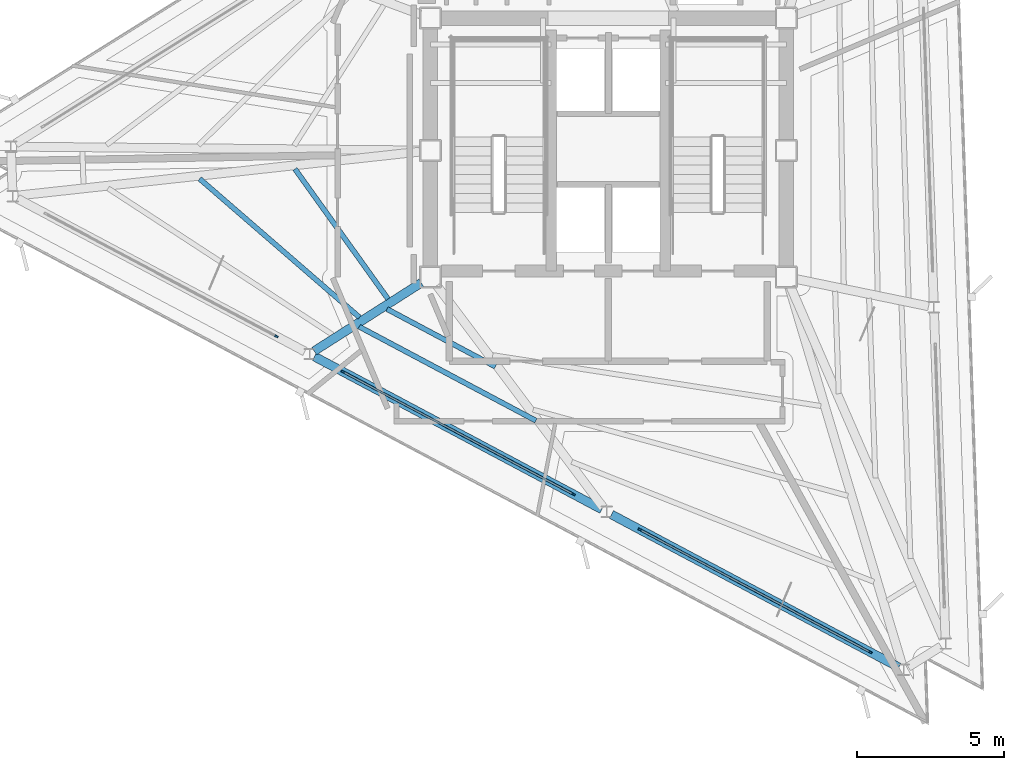
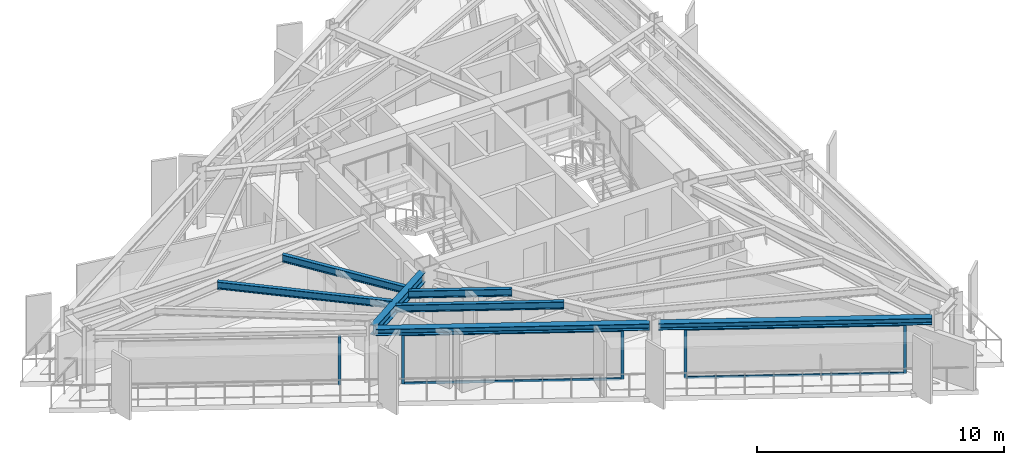
# One storey, part 2 of 13: 9 members, 7 beams, 3 elements without a shape of their own.
"""IFC4 building model written with IfcOpenShell, lengths in metres."""

from ifc_helpers import new_model, si_unit, direction, frame, origin, origin_2d, place, context, subcontext, project, spatial, rectangle, i_section, extrude, material, layer, layer_set, material_profile, profile_set, type_object, element, aggregate, save


model = new_model("IFC4")

# Units and contexts
model_context = context("Model", 3, precision=1e-05, world=origin(), true_north=direction((0.0, 1.0)))
body_context = subcontext(model_context, "Body", "Model", "MODEL_VIEW")
ifc_project = project(units=[si_unit("LENGTHUNIT", "METRE"), si_unit("AREAUNIT", "SQUARE_METRE"), si_unit("VOLUMEUNIT", "CUBIC_METRE"), si_unit("PLANEANGLEUNIT", "RADIAN"), si_unit("MASSUNIT", "GRAM", prefix="KILO")], contexts=[model_context])

# Site, building, storey
site_placement = place(None, origin())
site = spatial("IfcSite", under=ifc_project, at=site_placement, CompositionType="ELEMENT")
building_placement = place(site_placement, origin())
building = spatial("IfcBuilding", under=site, at=building_placement, Name="Rocaltana Carrier Exchange", CompositionType="ELEMENT")
storey_placement = place(building_placement, frame((0.0, 0.0, 199.679931640625)))
storey = spatial("IfcBuildingStorey", under=building, at=storey_placement, Name="L63", CompositionType="ELEMENT", Elevation=199.679931640625)

# Curtain wall, member
ifc_material_1 = material(Name="Aluminium 6063-T6", Category="aluminium")
ifc_layer = layer(ifc_material_1, 0.1201171875)
ifc_layer_set = layer_set([ifc_layer], Name="Aluminium 6063-T6")
curtain_wall_type = type_object("IfcCurtainWallType", Name="High-Altitude Thermal Curtain Wall CW-05", PredefinedType="NOTDEFINED", material=ifc_layer_set)
curtain_wall_1_placement = place(storey_placement, origin())
curtain_wall_1 = element("IfcCurtainWall", 1, at=curtain_wall_1_placement, inside=storey, type_object=curtain_wall_type, Name="L63 CW-05 Run CW-L63-F3S1", PredefinedType="NOTDEFINED")
ifc_material_2 = material(Name="Aluminium 6063-T6", Category="aluminium")
ifc_material_profile_1 = material_profile(ifc_material_2, rectangle(XDim=0.06005859375, YDim=0.1201171875, at=origin_2d()), Name="AL-60X120")
ifc_profile_set_1 = profile_set([ifc_material_profile_1], Name="Aluminium 6063-T6")
member_type_1 = type_object("IfcMemberType", Name="CW-05 Mullion AL-60X120", PredefinedType="MULLION", material=ifc_profile_set_1)
member_1_placement = place(storey_placement, frame((-11.282958984375, -6.31689453125, 0.0), z_axis=(0.0, 0.0, 1.0), x_axis=(0.469483388841, 0.882941304732, 0.0)))
member_1 = element("IfcMember", 2, at=member_1_placement, type_object=member_type_1, Name="CW-05 mullion 2", PredefinedType="MULLION", context=body_context, shape_type="SweptSolid", body=[
    extrude(rectangle(XDim=0.06005859375, YDim=0.1201171875, at=origin_2d()), origin(), (0.0, 0.0, 1.0), 2.447998046875),
])
aggregate(curtain_wall_1, [member_1])

# Curtain wall, members
curtain_wall_2_placement = place(storey_placement, origin())
curtain_wall_2 = element("IfcCurtainWall", 3, at=curtain_wall_2_placement, inside=storey, type_object=curtain_wall_type, Name="L63 CW-05 Run CW-L63-F3S2", PredefinedType="NOTDEFINED")
member_2_placement = place(storey_placement, frame((-9.0224609375, -7.5185546875, 0.0), z_axis=(0.0, 0.0, 1.0), x_axis=(0.469479302335, 0.882943477624, 0.0)))
member_2 = element("IfcMember", 4, at=member_2_placement, type_object=member_type_1, Name="CW-05 mullion 1", PredefinedType="MULLION", context=body_context, shape_type="SweptSolid", body=[
    extrude(rectangle(XDim=0.06005859375, YDim=0.1201171875, at=origin_2d()), origin(), (0.0, 0.0, 1.0), 2.447998046875),
])
member_3_placement = place(storey_placement, frame((-1.18798828125, -11.684326171875, 0.0), z_axis=(0.0, 0.0, 1.0), x_axis=(0.469479302335, 0.882943477624, 0.0)))
member_3 = element("IfcMember", 5, at=member_3_placement, type_object=member_type_1, Name="CW-05 mullion 2", PredefinedType="MULLION", context=body_context, shape_type="SweptSolid", body=[
    extrude(rectangle(XDim=0.06005859375, YDim=0.1201171875, at=origin_2d()), origin(), (0.0, 0.0, 1.0), 2.447998046875),
])

curtain_wall_3_placement = place(storey_placement, origin())
curtain_wall_3 = element("IfcCurtainWall", 6, at=curtain_wall_3_placement, inside=storey, type_object=curtain_wall_type, Name="L63 CW-05 Run CW-L63-F3S3", PredefinedType="NOTDEFINED")
member_4_placement = place(storey_placement, frame((1.072509765625, -12.88623046875, 0.0), z_axis=(0.0, 0.0, 1.0), x_axis=(0.469474662173, 0.882945944879, 0.0)))
member_4 = element("IfcMember", 7, at=member_4_placement, type_object=member_type_1, Name="CW-05 mullion 1", PredefinedType="MULLION", context=body_context, shape_type="SweptSolid", body=[
    extrude(rectangle(XDim=0.06005859375, YDim=0.1201171875, at=origin_2d()), origin(), (0.0, 0.0, 1.0), 2.447998046875),
])
member_5_placement = place(storey_placement, frame((8.9072265625, -17.052001953125, 0.0), z_axis=(0.0, 0.0, 1.0), x_axis=(0.469474662173, 0.882945944879, 0.0)))
member_5 = element("IfcMember", 8, at=member_5_placement, type_object=member_type_1, Name="CW-05 mullion 2", PredefinedType="MULLION", context=body_context, shape_type="SweptSolid", body=[
    extrude(rectangle(XDim=0.06005859375, YDim=0.1201171875, at=origin_2d()), origin(), (0.0, 0.0, 1.0), 2.447998046875),
])

# Member
ifc_material_3 = material(Name="Aluminium 6063-T6", Category="aluminium")
ifc_material_profile_2 = material_profile(ifc_material_3, rectangle(XDim=0.06005859375, YDim=0.1201171875, at=origin_2d()), Name="AL-60X120")
ifc_profile_set_2 = profile_set([ifc_material_profile_2], Name="Aluminium 6063-T6")
member_type_2 = type_object("IfcMemberType", Name="CW-05 Transom AL-60X120", PredefinedType="USERDEFINED", material=ifc_profile_set_2)
member_6_placement = place(storey_placement, frame((-8.99609375, -7.53271484375, 0.030029296875), z_axis=(0.882944221824, -0.469477902726, 0.0), x_axis=(0.469477902726, 0.882944221824, 0.0)))
member_6 = element("IfcMember", 9, at=member_6_placement, type_object=member_type_2, Name="CW-05 transom 1.1", ObjectType="TRANSOM", PredefinedType="USERDEFINED", context=body_context, shape_type="SweptSolid", body=[
    extrude(rectangle(XDim=0.06005859375, YDim=0.1201171875, at=origin_2d()), origin(), (0.0, 0.0, 1.0), 8.8134765625),
])

member_7_placement = place(storey_placement, frame((-8.99609375, -7.53271484375, 2.41796875), z_axis=(0.882944221824, -0.469477902726, 0.0), x_axis=(0.469477902726, 0.882944221824, 0.0)))
member_7 = element("IfcMember", 10, at=member_7_placement, type_object=member_type_2, Name="CW-05 transom 1.2", ObjectType="TRANSOM", PredefinedType="USERDEFINED", context=body_context, shape_type="SweptSolid", body=[
    extrude(rectangle(XDim=0.06005859375, YDim=0.1201171875, at=origin_2d()), origin(), (0.0, 0.0, 1.0), 8.8134765625),
])

aggregate(curtain_wall_2, [member_2, member_3, member_6, member_7])

member_8_placement = place(storey_placement, frame((1.098876953125, -12.900146484375, 0.030029296875), z_axis=(0.882944221824, -0.469477902726, 0.0), x_axis=(0.469477902726, 0.882944221824, 0.0)))
member_8 = element("IfcMember", 11, at=member_8_placement, type_object=member_type_2, Name="CW-05 transom 1.1", ObjectType="TRANSOM", PredefinedType="USERDEFINED", context=body_context, shape_type="SweptSolid", body=[
    extrude(rectangle(XDim=0.06005859375, YDim=0.1201171875, at=origin_2d()), origin(), (0.0, 0.0, 1.0), 8.8134765625),
])

member_9_placement = place(storey_placement, frame((1.098876953125, -12.900146484375, 2.41796875), z_axis=(0.882944221824, -0.469477902726, 0.0), x_axis=(0.469477902726, 0.882944221824, 0.0)))
member_9 = element("IfcMember", 12, at=member_9_placement, type_object=member_type_2, Name="CW-05 transom 1.2", ObjectType="TRANSOM", PredefinedType="USERDEFINED", context=body_context, shape_type="SweptSolid", body=[
    extrude(rectangle(XDim=0.06005859375, YDim=0.1201171875, at=origin_2d()), origin(), (0.0, 0.0, 1.0), 8.8134765625),
])

aggregate(curtain_wall_3, [member_4, member_5, member_8, member_9])

# Beams
ifc_material_4 = material(Name="Steel S355", Category="steel")
ifc_material_profile_3 = material_profile(ifc_material_4, i_section(OverallWidth=0.172119140625, OverallDepth=0.35791015625, WebThickness=0.0078125, FlangeThickness=0.01318359375, FilletRadius=0.011962890625, at=origin_2d()), Name="W14X38")
ifc_profile_set_3 = profile_set([ifc_material_profile_3], Name="Steel S355")
beam_type_1 = type_object("IfcBeamType", Name="Floor Joist W14X38", PredefinedType="JOIST", material=ifc_profile_set_3)
beam_1_placement = place(storey_placement, frame((-10.6513671875, -0.628662109375, 2.619140625), z_axis=(0.582177044628, -0.813062044809, 0.0), x_axis=(0.813062044809, 0.582177044628, 0.0)))
element("IfcBeam", 13, at=beam_1_placement, inside=storey, type_object=beam_type_1, Name="FJ-L63-09-1", PredefinedType="JOIST", context=body_context, shape_type="SweptSolid", body=[
    extrude(i_section(OverallWidth=0.172119140625, OverallDepth=0.35791015625, WebThickness=0.0078125, FlangeThickness=0.01318359375, FilletRadius=0.011962890625, at=origin_2d()), origin(), (0.0, 0.0, 1.0), 5.43408203125),
])
beam_2_placement = place(storey_placement, frame((-13.891845703125, -0.96240234375, 2.619140625), z_axis=(0.75579772027, -0.65480516647, 0.0), x_axis=(0.65480516647, 0.75579772027, 0.0)))
element("IfcBeam", 14, at=beam_2_placement, inside=storey, type_object=beam_type_1, Name="FJ-L63-09-2", PredefinedType="JOIST", context=body_context, shape_type="SweptSolid", body=[
    extrude(i_section(OverallWidth=0.172119140625, OverallDepth=0.35791015625, WebThickness=0.0078125, FlangeThickness=0.01318359375, FilletRadius=0.011962890625, at=origin_2d()), origin(), (0.0, 0.0, 1.0), 7.19189453125),
])
beam_3_placement = place(storey_placement, frame((-7.52294921875, -5.388427734375, 2.619140625), z_axis=(0.882943632654, -0.469479010773, 0.0), x_axis=(0.469479010773, 0.882943632654, 0.0)))
element("IfcBeam", 15, at=beam_3_placement, inside=storey, type_object=beam_type_1, Name="FJ-L63-10-1", PredefinedType="JOIST", context=body_context, shape_type="SweptSolid", body=[
    extrude(i_section(OverallWidth=0.172119140625, OverallDepth=0.35791015625, WebThickness=0.0078125, FlangeThickness=0.01318359375, FilletRadius=0.011962890625, at=origin_2d()), origin(), (0.0, 0.0, 1.0), 4.171142578125),
])
beam_4_placement = place(storey_placement, frame((-8.466552734375, -5.990478515625, 2.619140625), z_axis=(0.882938567036, -0.469488537496, 0.0), x_axis=(0.469488537496, 0.882938567036, 0.0)))
element("IfcBeam", 16, at=beam_4_placement, inside=storey, type_object=beam_type_1, Name="FJ-L63-10-2", PredefinedType="JOIST", context=body_context, shape_type="SweptSolid", body=[
    extrude(i_section(OverallWidth=0.172119140625, OverallDepth=0.35791015625, WebThickness=0.0078125, FlangeThickness=0.01318359375, FilletRadius=0.011962890625, at=origin_2d()), origin(), (0.0, 0.0, 1.0), 6.80078125),
])
ifc_material_5 = material(Name="Steel S355", Category="steel")
ifc_material_profile_4 = material_profile(ifc_material_5, i_section(OverallWidth=0.300048828125, OverallDepth=0.320068359375, WebThickness=0.011474609375, FlangeThickness=0.0205078125, FilletRadius=0.027099609375, at=origin_2d()), Name="HEB320")
ifc_profile_set_4 = profile_set([ifc_material_profile_4], Name="Steel S355")
beam_type_2 = type_object("IfcBeamType", Name="Spandrel Edge Beam HEB320", PredefinedType="SPANDREL", material=ifc_profile_set_4)
beam_5_placement = place(storey_placement, frame((-9.989013671875, -7.0048828125, 2.63818359375), z_axis=(0.882953364768, -0.469460707242, 0.0), x_axis=(0.469460707242, 0.882953364768, 0.0)))
element("IfcBeam", 17, at=beam_5_placement, inside=storey, type_object=beam_type_2, Name="SP-L63-10", PredefinedType="SPANDREL", context=body_context, shape_type="SweptSolid", body=[
    extrude(i_section(OverallWidth=0.300048828125, OverallDepth=0.320068359375, WebThickness=0.011474609375, FlangeThickness=0.0205078125, FilletRadius=0.027099609375, at=origin_2d()), origin(), (0.0, 0.0, 1.0), 11.0625),
])
beam_6_placement = place(storey_placement, frame((0.106201171875, -12.372314453125, 2.63818359375), z_axis=(0.882939352256, -0.469487060778, 0.0), x_axis=(0.469487060778, 0.882939352256, 0.0)))
element("IfcBeam", 18, at=beam_6_placement, inside=storey, type_object=beam_type_2, Name="SP-L63-11", PredefinedType="SPANDREL", context=body_context, shape_type="SweptSolid", body=[
    extrude(i_section(OverallWidth=0.300048828125, OverallDepth=0.320068359375, WebThickness=0.011474609375, FlangeThickness=0.0205078125, FilletRadius=0.027099609375, at=origin_2d()), origin(), (0.0, 0.0, 1.0), 11.062255859375),
])
ifc_material_6 = material(Name="Steel S355", Category="steel")
ifc_material_profile_5 = material_profile(ifc_material_6, i_section(OverallWidth=0.300048828125, OverallDepth=0.5, WebThickness=0.014404296875, FlangeThickness=0.028076171875, FilletRadius=0.027099609375, at=origin_2d()), Name="HEB500")
ifc_profile_set_5 = profile_set([ifc_material_profile_5], Name="Steel S355")
beam_type_3 = type_object("IfcBeamType", Name="Upper Radial Girder HEB500", PredefinedType="BEAM", material=ifc_profile_set_5)
beam_7_placement = place(storey_placement, frame((-6.359375, -4.497314453125, 2.548095703125), z_axis=(-0.843017756358, -0.53788573365, 0.0), x_axis=(0.53788573365, -0.843017756358, 0.0)))
element("IfcBeam", 19, at=beam_7_placement, inside=storey, type_object=beam_type_3, Name="RG-L63-10", PredefinedType="BEAM", context=body_context, shape_type="SweptSolid", body=[
    extrude(i_section(OverallWidth=0.300048828125, OverallDepth=0.5, WebThickness=0.014404296875, FlangeThickness=0.028076171875, FilletRadius=0.027099609375, at=origin_2d()), origin(), (0.0, 0.0, 1.0), 4.314208984375),
])

save(model, "model.ifc")
